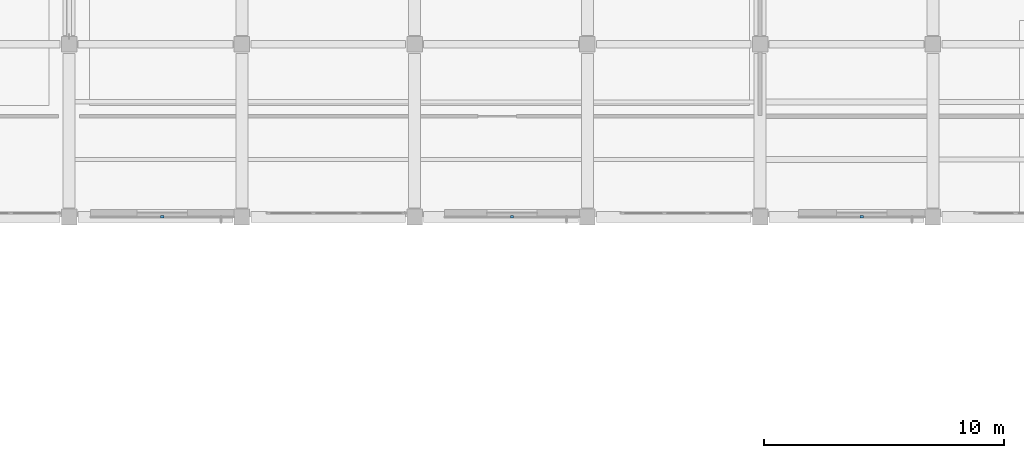
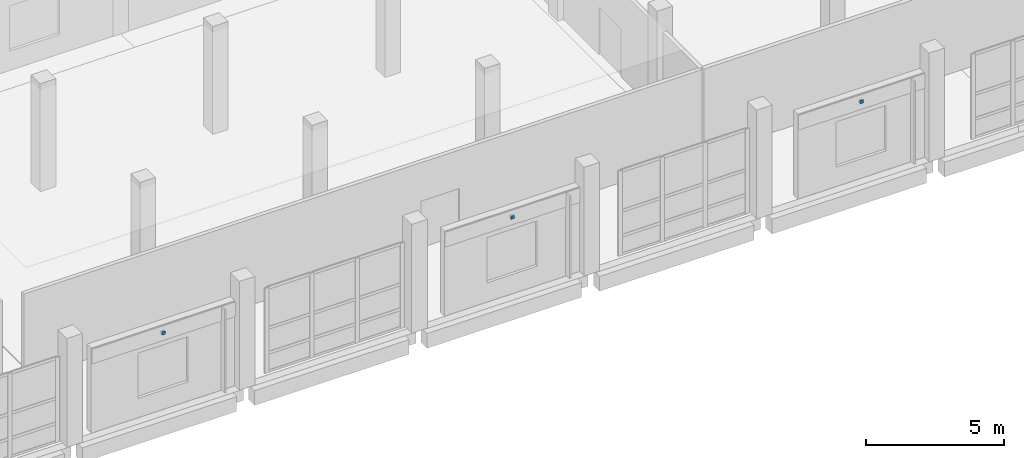
# One storey, part 104 of 127: 3 discrete accessories.
"""IFC4 building model written with IfcOpenShell, lengths in metres."""

from ifc_helpers import new_model, si_unit, direction, frame, origin, origin_2d, place, context, subcontext, project, spatial, rectangle, extrude, material, type_object, element, save


model = new_model("IFC4")

# Units and contexts
model_context = context("Model", 3, precision=1e-05, world=origin(), true_north=direction((0.0, 1.0)))
body_context = subcontext(model_context, "Body", "Model", "MODEL_VIEW")
ifc_project = project(units=[si_unit("LENGTHUNIT", "METRE"), si_unit("AREAUNIT", "SQUARE_METRE"), si_unit("VOLUMEUNIT", "CUBIC_METRE"), si_unit("PLANEANGLEUNIT", "RADIAN"), si_unit("MASSUNIT", "GRAM", prefix="KILO")], contexts=[model_context])

# Site, building, storey
site_placement = place(None, origin())
site = spatial("IfcSite", under=ifc_project, at=site_placement, CompositionType="ELEMENT")
building_placement = place(site_placement, origin())
building = spatial("IfcBuilding", under=site, at=building_placement, Name="Kalmorath City Hall", CompositionType="ELEMENT")
storey_placement = place(building_placement, frame((0.0, 0.0, 5.39990234375)))
storey = spatial("IfcBuildingStorey", under=building, at=storey_placement, Name="L01", CompositionType="ELEMENT", Elevation=5.39990234375)

# Discrete accessories
ifc_material = material(Name="Stainless steel Grade 316", Category="steel")
discrete_accessory_type = type_object("IfcDiscreteAccessoryType", Name="Stainless rainscreen support bracket", PredefinedType="BRACKET", material=ifc_material)
for number, where, z_axis, x_axis, name in (
    (1, (97.8330078125, 93.610107421875, 3.3310546875), (0.0, 0.0, 1.0), (-1.0, 0.0, 0.0), "L01 basalt anchor bracket #34"),
    (2, (83.256103515625, 93.610107421875, 3.3310546875), (0.0, 0.0, 1.0), (-1.0, 0.0, 0.0), "L01 basalt anchor bracket #35"),
    (3, (68.67919921875, 93.610107421875, 3.3310546875), (0.0, 0.0, 1.0), (-1.0, 0.0, 0.0), "L01 basalt anchor bracket #36"),
):
    element("IfcDiscreteAccessory", number, at=place(storey_placement, frame(where, z_axis=z_axis, x_axis=x_axis)), inside=storey, type_object=discrete_accessory_type, Name=name, PredefinedType="BRACKET", context=body_context, shape_type="SweptSolid", body=[
        extrude(rectangle(XDim=0.139892578125, YDim=0.10009765625, at=origin_2d()), origin(), (0.0, 0.0, 1.0), 0.139892578125),
    ])

save(model, "model.ifc")
